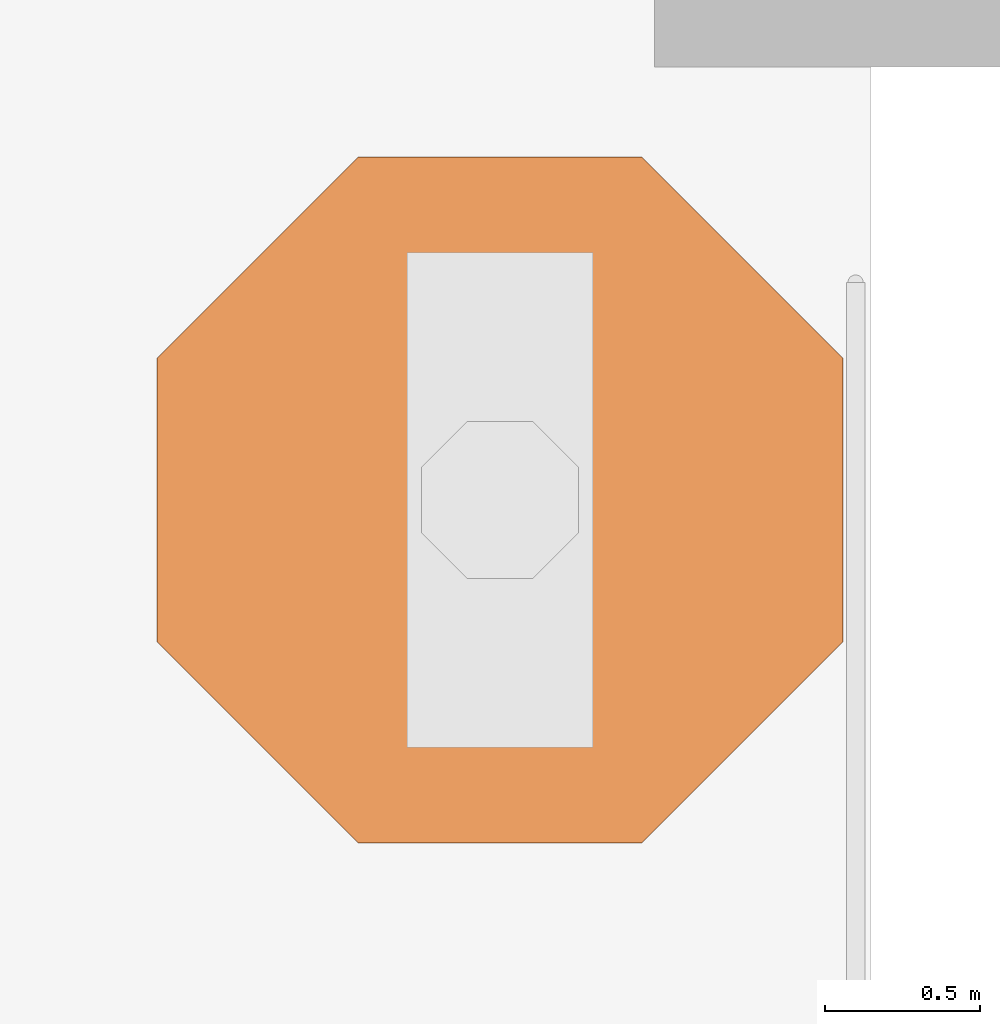
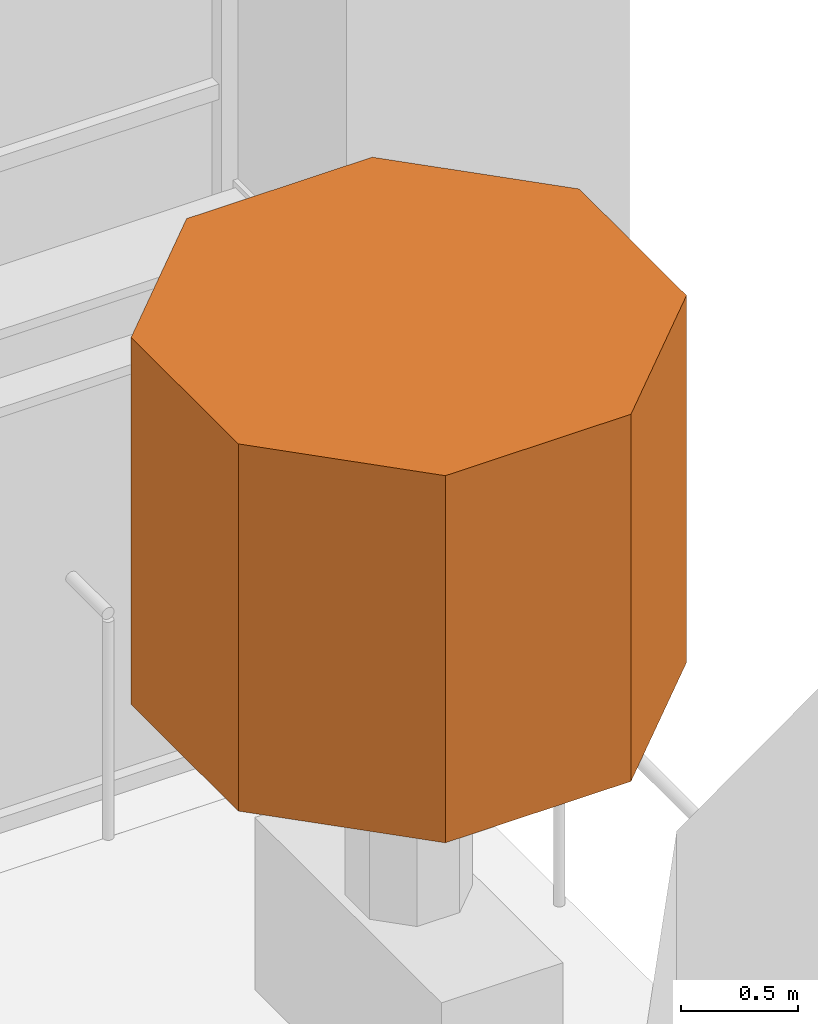
# One storey, part 28 of 28: 1 geographic element.
"""IFC4 building model written with IfcOpenShell, lengths in metres."""

from ifc_helpers import new_model, si_unit, direction, frame, origin, place, context, subcontext, project, spatial, polyline, outline, extrude, material, element, save


model = new_model("IFC4")

# Units and contexts
model_context = context("Model", 3, precision=1e-05, world=origin(), true_north=direction((0.0, 1.0)))
body_context = subcontext(model_context, "Body", "Model", "MODEL_VIEW")
ifc_project = project(units=[si_unit("LENGTHUNIT", "METRE"), si_unit("AREAUNIT", "SQUARE_METRE"), si_unit("VOLUMEUNIT", "CUBIC_METRE"), si_unit("PLANEANGLEUNIT", "RADIAN"), si_unit("MASSUNIT", "GRAM", prefix="KILO")], contexts=[model_context])

# Site, building, storey
site_placement = place(None, origin())
site = spatial("IfcSite", under=ifc_project, at=site_placement, CompositionType="ELEMENT")
building_placement = place(site_placement, origin())
building = spatial("IfcBuilding", under=site, at=building_placement, Name="Vermilion Gate Residences", CompositionType="ELEMENT")
storey_placement = place(building_placement, frame((0.0, 0.0, 74.199951171875)))
storey = spatial("IfcBuildingStorey", under=building, at=storey_placement, Name="L18", CompositionType="ELEMENT", Elevation=74.199951171875)

# Geographic element
ifc_material = material(Name="Foliage")
geographic_element_placement = place(storey_placement, frame((0.0, 0.0, 1.97998046875)))
element("IfcGeographicElement", 1, at=geographic_element_placement, inside=storey, material=ifc_material, Name="Tree crown (fringe tree)", ObjectType="TREE", PredefinedType="USERDEFINED", context=body_context, shape_type="SweptSolid", body=[
    extrude(outline(polyline([(67.108642578125, 6.75927734375), (66.459228515625, 7.40869140625), (65.540771484375, 7.40869140625), (64.891357421875, 6.75927734375), (64.891357421875, 5.8408203125), (65.540771484375, 5.19140625), (66.459228515625, 5.19140625), (67.108642578125, 5.8408203125), (67.108642578125, 6.75927734375)])), origin(), (0.0, 0.0, 1.0), 1.920166015625),
])

save(model, "model.ifc")
